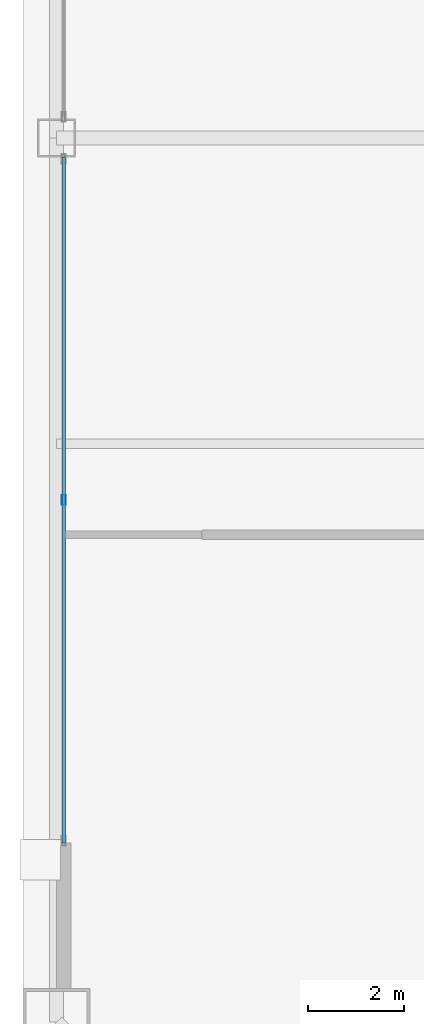
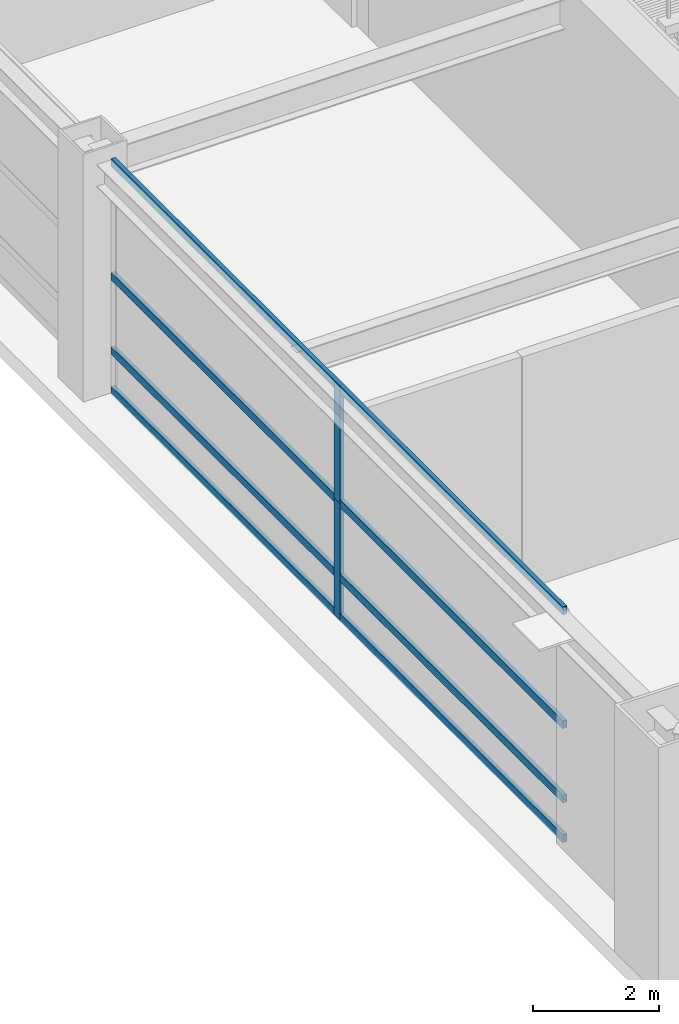
# One storey, part 8 of 34: 6 members, 1 element without a shape of its own.
"""IFC4 building model written with IfcOpenShell, lengths in metres."""

from ifc_helpers import new_model, si_unit, direction, frame, origin, origin_2d, place, context, subcontext, project, spatial, hollow_rectangle, extrude, source, transform, mapped, material, layer, layer_set, material_profile, profile_set, type_object, element, aggregate, save


model = new_model("IFC4")

# Units and contexts
model_context = context("Model", 3, precision=1e-05, world=origin(), true_north=direction((0.0, 1.0)))
body_context = subcontext(model_context, "Body", "Model", "MODEL_VIEW")
ifc_project = project(units=[si_unit("LENGTHUNIT", "METRE"), si_unit("AREAUNIT", "SQUARE_METRE"), si_unit("VOLUMEUNIT", "CUBIC_METRE"), si_unit("PLANEANGLEUNIT", "RADIAN"), si_unit("MASSUNIT", "GRAM", prefix="KILO"), si_unit("THERMODYNAMICTEMPERATUREUNIT", "KELVIN"), si_unit("POWERUNIT", "WATT")], contexts=[model_context])

# Site, building, storey
site_placement = place(None, origin())
site = spatial("IfcSite", under=ifc_project, at=site_placement, CompositionType="ELEMENT")
building_placement = place(site_placement, origin())
building = spatial("IfcBuilding", under=site, at=building_placement, Name="Yuzanri Waterfront Tower", CompositionType="ELEMENT")
storey_placement = place(building_placement, frame((0.0, 0.0, 171.60009765625)))
storey = spatial("IfcBuildingStorey", under=building, at=storey_placement, Name="L45", CompositionType="ELEMENT", Elevation=171.60009765625)

# Curtain wall, members
ifc_material_1 = material(Name="Anodized Architectural Bronze", Category="metal")
ifc_layer = layer(ifc_material_1, 0.159912109375)
ifc_layer_set = layer_set([ifc_layer], Name="Anodized Architectural Bronze")
curtain_wall_type = type_object("IfcCurtainWallType", Name="Anodized Bronze Sky-Lobby Triple-Glazed Feature Curtain Wall 7500", PredefinedType="NOTDEFINED", material=ifc_layer_set)
curtain_wall_placement = place(storey_placement, origin())
curtain_wall = element("IfcCurtainWall", 1, at=curtain_wall_placement, inside=storey, type_object=curtain_wall_type, Name="L45 Curtain Wall CW-L45-WL", PredefinedType="NOTDEFINED")
ifc_material_2 = material(Name="Anodized Architectural Bronze", Category="metal")
ifc_material_profile_1 = material_profile(ifc_material_2, hollow_rectangle(XDim=0.074951171875, YDim=0.199951171875, WallThickness=0.00390625, at=origin_2d()), Name="CWM 75x200")
ifc_profile_set_1 = profile_set([ifc_material_profile_1], Name="Anodized Architectural Bronze")
member_type_1 = type_object("IfcMemberType", Name="Anodized Bronze Primary Curtain-Wall Mullion 75x200", PredefinedType="MULLION", material=ifc_profile_set_1)
shared_shape_1 = source(origin(), body_context, "Body", "SweptSolid", [
    extrude(hollow_rectangle(XDim=0.074951171875, YDim=0.199951171875, WallThickness=0.00390625, at=origin_2d()), origin(), (0.0, 0.0, 1.0), 2.258056640625),
])
member_1_placement = place(storey_placement, frame((15.050048828125, 18.22509765625, 2.261962890625), z_axis=(0.0, 0.0, 1.0), x_axis=(1.0, 0.0, 0.0)))
member_1 = element("IfcMember", 2, at=member_1_placement, type_object=member_type_1, Name="CW-L45-WL Upper Mullion 01", PredefinedType="MULLION", context=body_context, shape_type="MappedRepresentation", body=[
    mapped(shared_shape_1, transform((0.0, 0.0, 0.0), scale=1.0)),
])
shared_shape_2 = source(origin(), body_context, "Body", "SweptSolid", [
    extrude(hollow_rectangle(XDim=0.074951171875, YDim=0.199951171875, WallThickness=0.00390625, at=origin_2d()), origin(), (0.0, 0.0, 1.0), 2.2578125),
])
member_2_placement = place(storey_placement, frame((15.050048828125, 18.22509765625, 0.0), z_axis=(0.0, 0.0, 1.0), x_axis=(1.0, 0.0, 0.0)))
member_2 = element("IfcMember", 3, at=member_2_placement, type_object=member_type_1, Name="CW-L45-WL Lower Mullion 01", PredefinedType="MULLION", context=body_context, shape_type="MappedRepresentation", body=[
    mapped(shared_shape_2, transform((0.0, 0.0, 0.0), scale=1.0)),
])
ifc_material_3 = material(Name="Anodized Architectural Bronze", Category="metal")
ifc_material_profile_2 = material_profile(ifc_material_3, hollow_rectangle(XDim=0.074951171875, YDim=0.14990234375, WallThickness=0.00390625, at=origin_2d()), Name="CWT 75x150")
ifc_profile_set_2 = profile_set([ifc_material_profile_2], Name="Anodized Architectural Bronze")
member_type_2 = type_object("IfcMemberType", Name="Anodized Bronze Primary Curtain-Wall Transom 75x150", PredefinedType="USERDEFINED", material=ifc_profile_set_2)
shared_shape_3 = source(origin(), body_context, "Body", "SweptSolid", [
    extrude(hollow_rectangle(XDim=0.074951171875, YDim=0.14990234375, WallThickness=0.00390625, at=origin_2d()), origin(), (0.0, 0.0, 1.0), 14.349853515625),
])
member_3_placement = place(storey_placement, frame((15.050048828125, 11.050048828125, 0.0498046875), z_axis=(0.0, 1.0, 0.0), x_axis=(-1.0, 0.0, 0.0)))
member_3 = element("IfcMember", 4, at=member_3_placement, type_object=member_type_2, Name="CW-L45-WL Transom 1", ObjectType="TRANSOM", PredefinedType="USERDEFINED", context=body_context, shape_type="MappedRepresentation", body=[
    mapped(shared_shape_3, transform((0.0, 0.0, 0.0), scale=1.0)),
])
member_4_placement = place(storey_placement, frame((15.050048828125, 11.050048828125, 0.81982421875), z_axis=(0.0, 1.0, 0.0), x_axis=(-1.0, 0.0, 0.0)))
member_4 = element("IfcMember", 5, at=member_4_placement, type_object=member_type_2, Name="CW-L45-WL Transom 2", ObjectType="TRANSOM", PredefinedType="USERDEFINED", context=body_context, shape_type="MappedRepresentation", body=[
    mapped(shared_shape_3, transform((0.0, 0.0, 0.0), scale=1.0)),
])
member_5_placement = place(storey_placement, frame((15.050048828125, 11.050048828125, 2.260009765625), z_axis=(0.0, 1.0, 0.0), x_axis=(-1.0, 0.0, 0.0)))
member_5 = element("IfcMember", 6, at=member_5_placement, type_object=member_type_2, Name="CW-L45-WL Transom 3", ObjectType="TRANSOM", PredefinedType="USERDEFINED", context=body_context, shape_type="MappedRepresentation", body=[
    mapped(shared_shape_3, transform((0.0, 0.0, 0.0), scale=1.0)),
])
member_6_placement = place(storey_placement, frame((15.050048828125, 11.050048828125, 4.469970703125), z_axis=(0.0, 1.0, 0.0), x_axis=(-1.0, 0.0, 0.0)))
member_6 = element("IfcMember", 7, at=member_6_placement, type_object=member_type_2, Name="CW-L45-WL Transom 4", ObjectType="TRANSOM", PredefinedType="USERDEFINED", context=body_context, shape_type="MappedRepresentation", body=[
    mapped(shared_shape_3, transform((0.0, 0.0, 0.0), scale=1.0)),
])
aggregate(curtain_wall, [member_2, member_1, member_3, member_4, member_5, member_6])

save(model, "model.ifc")
